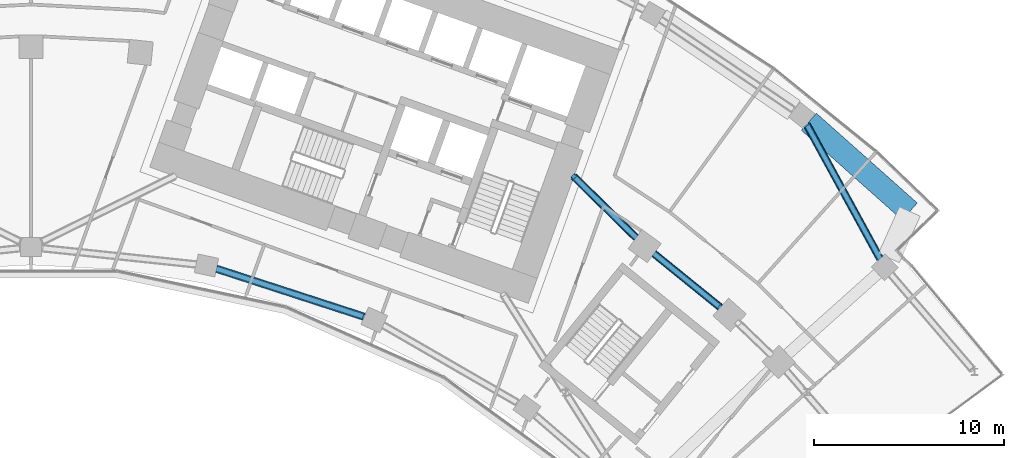
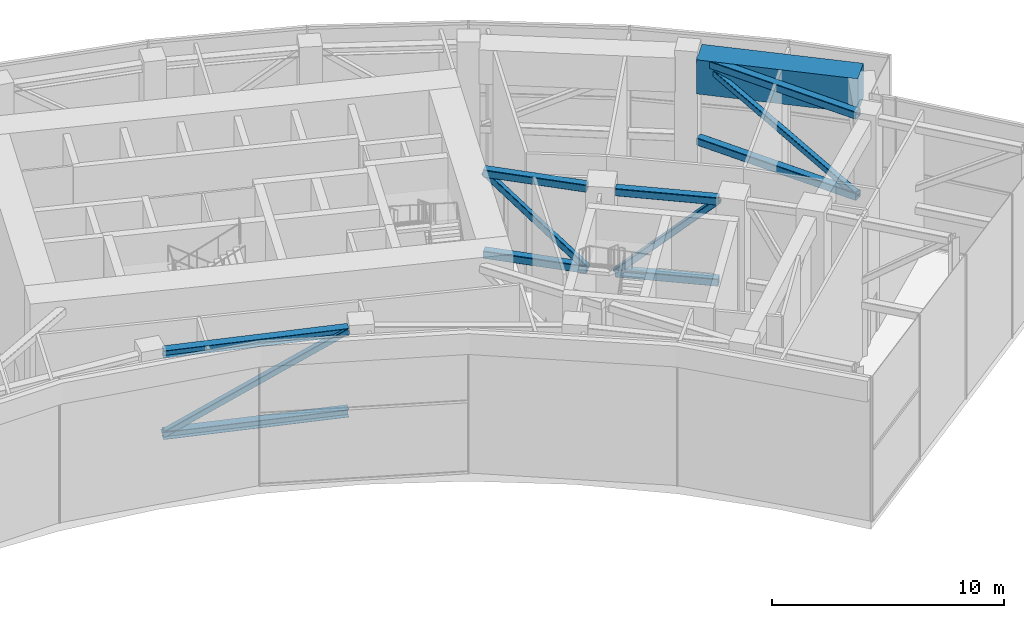
# One storey, part 11 of 32: 12 members, 1 beam.
"""IFC4 building model written with IfcOpenShell, lengths in metres."""

import ifcopenshell
import ifcopenshell.guid

model = None  # the IFC model being written
_history = None  # IfcOwnerHistory: only IFC2X3 demands one
_inside = {}  # id of a spatial element -> (the spatial element, [elements in it])
_under = {}  # id of a project, library or spatial element -> (it, [spatial elements below it])
_declared = {}  # id of a project -> (the project, [libraries it declares])
_typed = {}  # id of a type object -> (the type object, [elements of that type])
_made_of = {}  # id of a material, layer set ... -> (it, [elements and type objects made of it])


def new_model(schema):
    """Start an empty IFC model of exactly this schema.

    Asked for "IFC4X3", IfcOpenShell would pick the latest addendum, in which some entities
    have other attributes; the version numbers below select the first issue.
    IFC2X3 requires an IfcOwnerHistory on every rooted entity: one is made here for all.
    """
    global model, _history
    if schema == "IFC4X3":
        model = ifcopenshell.file(schema_version=(4, 3, 0, 0))
    else:
        model = ifcopenshell.file(schema=schema)
    _inside.clear()
    _under.clear()
    _declared.clear()
    _typed.clear()
    _made_of.clear()
    _history = None
    if model.schema == "IFC2X3":
        org = make("IfcOrganization", Name="unknown")
        user = make(
            "IfcPersonAndOrganization",
            ThePerson=make("IfcPerson", FamilyName="unknown"),
            TheOrganization=org,
        )
        app = make(
            "IfcApplication",
            ApplicationDeveloper=org,
            Version="unknown",
            ApplicationFullName="unknown",
            ApplicationIdentifier="unknown",
        )
        _history = make(
            "IfcOwnerHistory",
            OwningUser=user,
            OwningApplication=app,
            ChangeAction="ADDED",
            CreationDate=0,
        )
    return model


def make(cls, **values):
    """One entity of the class cls with the attributes given. An attribute that is None is left unset."""
    return model.create_entity(
        cls, **{name: value for name, value in values.items() if value is not None}
    )


def rooted(cls, **values):
    """An entity with a GlobalId (a new one), such as an element, a storey or a relation."""
    return make(cls, GlobalId=ifcopenshell.guid.new(), OwnerHistory=_history, **values)


def si_unit(unit_type, name, prefix=None):
    """IfcSIUnit, for example si_unit("LENGTHUNIT", "METRE", prefix="MILLI")."""
    return make("IfcSIUnit", UnitType=unit_type, Prefix=prefix, Name=name)


def assignment(units):
    """IfcUnitAssignment: the units of a project."""
    return None if units is None else make("IfcUnitAssignment", Units=units)


def point(xyz):
    """IfcCartesianPoint."""
    return None if xyz is None else make("IfcCartesianPoint", Coordinates=xyz)


def direction(xyz):
    """IfcDirection."""
    return None if xyz is None else make("IfcDirection", DirectionRatios=xyz)


def frame(location, z_axis=None, x_axis=None):
    """IfcAxis2Placement3D, a coordinate frame: its origin and axes. An axis left out is left unset."""
    return make(
        "IfcAxis2Placement3D",
        Location=point(location),
        Axis=direction(z_axis),
        RefDirection=direction(x_axis),
    )


def frame_2d(location, x_axis=None):
    """IfcAxis2Placement2D, a coordinate frame in the plane: its origin and x axis."""
    return make(
        "IfcAxis2Placement2D", Location=point(location), RefDirection=direction(x_axis)
    )


def origin():
    """The frame at (0, 0, 0) with its axes left unset."""
    return frame((0.0, 0.0, 0.0))


def origin_2d():
    """The frame at (0, 0) in the plane with its x axis left unset."""
    return frame_2d((0.0, 0.0))


def place(relative_to, where):
    """IfcLocalPlacement: puts the frame where relative to a parent placement (None: the world)."""
    return make(
        "IfcLocalPlacement", PlacementRelTo=relative_to, RelativePlacement=where
    )


def context(
    kind, dimensions, precision=None, world=None, true_north=None, identifier=None
):
    """IfcGeometricRepresentationContext, for example the 3D "Model" context."""
    return make(
        "IfcGeometricRepresentationContext",
        ContextIdentifier=identifier,
        ContextType=kind,
        CoordinateSpaceDimension=dimensions,
        Precision=precision,
        WorldCoordinateSystem=world,
        TrueNorth=true_north,
    )


def subcontext(parent, identifier, kind, view, scale=None):
    """IfcGeometricRepresentationSubContext, for example "Body" below "Model"."""
    return make(
        "IfcGeometricRepresentationSubContext",
        ContextIdentifier=identifier,
        ContextType=kind,
        ParentContext=parent,
        TargetScale=scale,
        TargetView=view,
    )


def project(units=None, contexts=None):
    """IfcProject with its units and contexts."""
    return rooted(
        "IfcProject",
        Name="project",
        RepresentationContexts=contexts,
        UnitsInContext=assignment(units),
    )


def spatial(cls, under=None, at=None, **own):
    """A site, building, storey or space (cls), placed at a placement, below another one or the project."""
    s = rooted(cls, ObjectPlacement=at, **own)
    if under is not None:
        _under.setdefault(under.id(), (under, []))[1].append(s)
    return s


def profile(cls, at=None, kind="AREA", **sizes):
    """A parametric profile (cls). Its sizes go by their IFC names, for example OverallWidth=200.0."""
    return make(cls, ProfileType=kind, Position=at, **sizes)


def rectangle(**sizes):
    """IfcRectangleProfileDef."""
    return profile("IfcRectangleProfileDef", **sizes)


def hollow_rectangle(**sizes):
    """IfcRectangleHollowProfileDef."""
    return profile("IfcRectangleHollowProfileDef", **sizes)


def i_section(**sizes):
    """IfcIShapeProfileDef."""
    return profile("IfcIShapeProfileDef", **sizes)


def extrude(swept, where, along, depth):
    """IfcExtrudedAreaSolid: the profile swept, set in the frame where, extruded along a direction by depth."""
    return make(
        "IfcExtrudedAreaSolid",
        SweptArea=swept,
        Position=where,
        ExtrudedDirection=direction(along),
        Depth=depth,
    )


def shape(context_of_items, identifier, shape_type, items):
    """IfcShapeRepresentation: the items that make up one representation, for example the "Body"."""
    return make(
        "IfcShapeRepresentation",
        ContextOfItems=context_of_items,
        RepresentationIdentifier=identifier,
        RepresentationType=shape_type,
        Items=items,
    )


def material(Name=None, Category=None):
    """IfcMaterial."""
    return make("IfcMaterial", Name=Name, Category=Category)


def material_profile(
    of_material, cross_section, Name=None, Category=None, Priority=None
):
    """IfcMaterialProfile: a cross section and its material."""
    return make(
        "IfcMaterialProfile",
        Name=Name,
        Material=of_material,
        Profile=cross_section,
        Priority=Priority,
        Category=Category,
    )


def profile_set(profiles, Name=None, composite=None):
    """IfcMaterialProfileSet."""
    return make(
        "IfcMaterialProfileSet",
        Name=Name,
        MaterialProfiles=profiles,
        CompositeProfile=composite,
    )


def made_of(thing, what):
    """Note that an element or type object is made of a material, layer set ...; save() writes the relation."""
    if what is not None:
        _made_of.setdefault(what.id(), (what, []))[1].append(thing)
    return thing


def type_object(cls, material=None, **own):
    """A type object (cls), such as IfcWallType, which elements share."""
    return made_of(rooted(cls, **own), material)


def element(
    cls,
    number,
    at=None,
    inside=None,
    cuts=None,
    type_object=None,
    material=None,
    context=None,
    identifier="Body",
    shape_type=None,
    held_by="IfcProductDefinitionShape",
    body=None,
    shapes=None,
    **own,
):
    """One element of the class cls, such as IfcWall. Its Tag is "e" and its number.

    at: its placement. inside: the storey or other place that contains it. cuts: it is an
    opening in that element (IfcRelVoidsElement). A single representation is given by context,
    identifier, shape_type and body (its items); several are given by shapes. held_by: the class
    of the entity that holds the representations. save() writes the other relations.
    """
    e = rooted(cls, Tag="e%d" % number, ObjectPlacement=at, **own)
    if body is not None:
        shapes = [shape(context, identifier, shape_type, body)]
    if shapes is not None:
        e.Representation = make(held_by, Representations=shapes)
    if inside is not None:
        _inside.setdefault(inside.id(), (inside, []))[1].append(e)
    if cuts is not None:
        rooted(
            "IfcRelVoidsElement", RelatingBuildingElement=cuts, RelatedOpeningElement=e
        )
    if type_object is not None:
        _typed.setdefault(type_object.id(), (type_object, []))[1].append(e)
    return made_of(e, material)


def aggregate(whole, parts):
    """IfcRelAggregates: a whole, such as a stair, and the parts it consists of."""
    return rooted("IfcRelAggregates", RelatingObject=whole, RelatedObjects=parts)


def save(model, path):
    """Write the relations noted so far, then the file.

    IfcRelAggregates (storeys below a building ...), IfcRelContainedInSpatialStructure (elements
    in a storey), IfcRelDefinesByType, IfcRelAssociatesMaterial and IfcRelDeclares: one each for
    every whole, place, type object, material and project.
    """
    for whole, parts in _under.values():
        aggregate(whole, parts)
    for where, things in _inside.values():
        rooted(
            "IfcRelContainedInSpatialStructure",
            RelatedElements=things,
            RelatingStructure=where,
        )
    for kind, things in _typed.values():
        rooted("IfcRelDefinesByType", RelatedObjects=things, RelatingType=kind)
    for what, things in _made_of.values():
        rooted("IfcRelAssociatesMaterial", RelatedObjects=things, RelatingMaterial=what)
    for by, libraries in _declared.values():
        rooted("IfcRelDeclares", RelatingContext=by, RelatedDefinitions=libraries)
    model.write(path)


model = new_model("IFC4")

# Units and contexts
model_context = context("Model", 3, precision=1e-05, world=origin(), true_north=direction((0.0, 1.0)))
body_context = subcontext(model_context, "Body", "Model", "MODEL_VIEW")
ifc_project = project(units=[si_unit("LENGTHUNIT", "METRE"), si_unit("AREAUNIT", "SQUARE_METRE"), si_unit("VOLUMEUNIT", "CUBIC_METRE"), si_unit("PLANEANGLEUNIT", "RADIAN"), si_unit("MASSUNIT", "GRAM", prefix="KILO")], contexts=[model_context])

# Site, building, storey
site_placement = place(None, origin())
site = spatial("IfcSite", under=ifc_project, at=site_placement, CompositionType="ELEMENT")
building_placement = place(site_placement, origin())
building = spatial("IfcBuilding", under=site, at=building_placement, Name="Stone Belt Terrace Tower", CompositionType="ELEMENT")
storey_placement = place(building_placement, frame((0.0, 0.0, 193.39990234375)))
storey = spatial("IfcBuildingStorey", under=building, at=storey_placement, Name="L47", CompositionType="ELEMENT", Elevation=193.39990234375)

# Members
ifc_material_1 = material(Name="Structural steel C345", Category="steel")
ifc_material_profile_1 = material_profile(ifc_material_1, i_section(OverallWidth=0.39794921875, OverallDepth=0.39404296875, WebThickness=0.010986328125, FlangeThickness=0.01806640625, at=origin_2d()), Name="I 40K1")
ifc_profile_set_1 = profile_set([ifc_material_profile_1], Name="Structural steel C345")
member_type_1 = type_object("IfcMemberType", Name="Belt chord I 40K1", PredefinedType="CHORD", material=ifc_profile_set_1)
for number, where, z_axis, x_axis, name in (
    (1, (9.7666015625, 43.302978515625, 7.0830078125), (0.951054012412, -0.30902470043, 0.0), (0.30902470043, 0.951054012412, 0.0), "Belt truss T3 ring P top chord 6"),
    (2, (9.7666015625, 43.302978515625, 2.797119140625), (0.951054012412, -0.30902470043, 0.0), (0.30902470043, 0.951054012412, 0.0), "Belt truss T3 ring P bot chord 6"),
):
    element("IfcMember", number, at=place(storey_placement, frame(where, z_axis=z_axis, x_axis=x_axis)), inside=storey, type_object=member_type_1, Name=name, PredefinedType="CHORD", context=body_context, shape_type="SweptSolid", body=[
        extrude(i_section(OverallWidth=0.39794921875, OverallDepth=0.39404296875, WebThickness=0.010986328125, FlangeThickness=0.01806640625, at=origin_2d()), origin(), (0.0, 0.0, 1.0), 8.185546875),
    ])
ifc_material_profile_2 = material_profile(ifc_material_1, hollow_rectangle(XDim=0.300048828125, YDim=0.300048828125, WallThickness=0.011962890625, InnerFilletRadius=0.02392578125, OuterFilletRadius=0.035888671875, at=origin_2d()), Name="SHS 300x300x12")
ifc_profile_set_2 = profile_set([ifc_material_profile_2], Name="Structural steel C345")
member_type_2 = type_object("IfcMemberType", Name="Belt diagonal SHS 300x300x12", PredefinedType="BRACE", material=ifc_profile_set_2)
member_1_placement = place(storey_placement, frame((9.7666015625, 43.302978515625, 2.797119140625), z_axis=(0.842549225888, -0.273768386158, 0.463855228164), x_axis=(0.30902470043, 0.951054012412, 0.0)))
element("IfcMember", 3, at=member_1_placement, inside=storey, type_object=member_type_2, Name="Belt truss T3 ring P diagonal 6", PredefinedType="BRACE", context=body_context, shape_type="SweptSolid", body=[
    extrude(hollow_rectangle(XDim=0.300048828125, YDim=0.300048828125, WallThickness=0.011962890625, InnerFilletRadius=0.02392578125, OuterFilletRadius=0.035888671875, at=origin_2d()), origin(), (0.0, 0.0, 1.0), 9.23974609375),
])
ifc_material_profile_3 = material_profile(ifc_material_1, hollow_rectangle(XDim=0.39990234375, YDim=0.39990234375, WallThickness=0.01611328125, InnerFilletRadius=0.031982421875, OuterFilletRadius=0.048095703125, at=origin_2d()), Name="SHS 400x400x16")
ifc_profile_set_3 = profile_set([ifc_material_profile_3], Name="Structural steel C345")
member_type_3 = type_object("IfcMemberType", Name="Outrigger chord SHS 400x400x16", PredefinedType="CHORD", material=ifc_profile_set_3)
for number, where, z_axis, x_axis, name in (
    (4, (36.31591796875, 41.266845703125, 7.080078125), (-0.777148951547, 0.629316698578, 0.0), (-0.629316698578, -0.777148951547, 0.0), "Outrigger T3 Qe top chord 3"),
    (5, (36.31591796875, 41.266845703125, 2.800048828125), (-0.777148951547, 0.629316698578, 0.0), (-0.629316698578, -0.777148951547, 0.0), "Outrigger T3 Qe bot chord 3"),
):
    element("IfcMember", number, at=place(storey_placement, frame(where, z_axis=z_axis, x_axis=x_axis)), inside=storey, type_object=member_type_3, Name=name, PredefinedType="CHORD", context=body_context, shape_type="SweptSolid", body=[
        extrude(hollow_rectangle(XDim=0.39990234375, YDim=0.39990234375, WallThickness=0.01611328125, InnerFilletRadius=0.031982421875, OuterFilletRadius=0.048095703125, at=origin_2d()), origin(), (0.0, 0.0, 1.0), 4.505126953125),
    ])
for number, where, z_axis, x_axis, name in (
    (6, (31.87744140625, 44.93896484375, 7.080078125), (-0.713266102076, 0.700893335415, 0.0), (-0.700893335415, -0.713266102076, 0.0), "Outrigger T3 Qe top chord 4"),
    (7, (31.87744140625, 44.93896484375, 2.800048828125), (-0.713266102076, 0.700893335415, 0.0), (-0.700893335415, -0.713266102076, 0.0), "Outrigger T3 Qe bot chord 4"),
):
    element("IfcMember", number, at=place(storey_placement, frame(where, z_axis=z_axis, x_axis=x_axis)), inside=storey, type_object=member_type_3, Name=name, PredefinedType="CHORD", context=body_context, shape_type="SweptSolid", body=[
        extrude(hollow_rectangle(XDim=0.39990234375, YDim=0.39990234375, WallThickness=0.01611328125, InnerFilletRadius=0.031982421875, OuterFilletRadius=0.048095703125, at=origin_2d()), origin(), (0.0, 0.0, 1.0), 4.59765625),
    ])
for number, where, z_axis, x_axis, name in (
    (8, (44.728515625, 43.8359375, 7.080078125), (-0.479531587798, 0.877524618631, 0.0), (-0.877524618631, -0.479531587798, 0.0), "Outrigger T3 Re top chord 2"),
    (9, (44.728515625, 43.8359375, 2.800048828125), (-0.479531587798, 0.877524618631, 0.0), (-0.877524618631, -0.479531587798, 0.0), "Outrigger T3 Re bot chord 2"),
):
    element("IfcMember", number, at=place(storey_placement, frame(where, z_axis=z_axis, x_axis=x_axis)), inside=storey, type_object=member_type_3, Name=name, PredefinedType="CHORD", context=body_context, shape_type="SweptSolid", body=[
        extrude(hollow_rectangle(XDim=0.39990234375, YDim=0.39990234375, WallThickness=0.01611328125, InnerFilletRadius=0.031982421875, OuterFilletRadius=0.048095703125, at=origin_2d()), origin(), (0.0, 0.0, 1.0), 8.054443359375),
    ])
ifc_material_profile_4 = material_profile(ifc_material_1, hollow_rectangle(XDim=0.300048828125, YDim=0.300048828125, WallThickness=0.01611328125, InnerFilletRadius=0.031982421875, OuterFilletRadius=0.048095703125, at=origin_2d()), Name="SHS 300x300x16")
ifc_profile_set_4 = profile_set([ifc_material_profile_4], Name="Structural steel C345")
member_type_4 = type_object("IfcMemberType", Name="Outrigger diagonal SHS 300x300x16", PredefinedType="BRACE", material=ifc_profile_set_4)
member_2_placement = place(storey_placement, frame((36.31591796875, 41.266845703125, 7.080078125), z_axis=(-0.563427679081, 0.456250305918, -0.68875605899), x_axis=(-0.629316698578, -0.777148951547, 0.0)))
element("IfcMember", 10, at=member_2_placement, inside=storey, type_object=member_type_4, Name="Outrigger T3 Qe diagonal 3", PredefinedType="BRACE", context=body_context, shape_type="SweptSolid", body=[
    extrude(hollow_rectangle(XDim=0.300048828125, YDim=0.300048828125, WallThickness=0.01611328125, InnerFilletRadius=0.031982421875, OuterFilletRadius=0.048095703125, at=origin_2d()), origin(), (0.0, 0.0, 1.0), 6.214111328125),
])
member_3_placement = place(storey_placement, frame((31.87744140625, 44.93896484375, 2.800048828125), z_axis=(-0.522062049748, 0.513006029975, 0.681378037085), x_axis=(-0.700893335415, -0.713266102076, 0.0)))
element("IfcMember", 11, at=member_3_placement, inside=storey, type_object=member_type_4, Name="Outrigger T3 Qe diagonal 4", PredefinedType="BRACE", context=body_context, shape_type="SweptSolid", body=[
    extrude(hollow_rectangle(XDim=0.300048828125, YDim=0.300048828125, WallThickness=0.01611328125, InnerFilletRadius=0.031982421875, OuterFilletRadius=0.048095703125, at=origin_2d()), origin(), (0.0, 0.0, 1.0), 6.281494140625),
])
member_4_placement = place(storey_placement, frame((44.728515625, 43.8359375, 2.800048828125), z_axis=(-0.423456447851, 0.774909239273, 0.469255056086), x_axis=(-0.877524618631, -0.479531587798, 0.0)))
element("IfcMember", 12, at=member_4_placement, inside=storey, type_object=member_type_4, Name="Outrigger T3 Re diagonal 2", PredefinedType="BRACE", context=body_context, shape_type="SweptSolid", body=[
    extrude(hollow_rectangle(XDim=0.300048828125, YDim=0.300048828125, WallThickness=0.01611328125, InnerFilletRadius=0.031982421875, OuterFilletRadius=0.048095703125, at=origin_2d()), origin(), (0.0, 0.0, 1.0), 9.120849609375),
])

# Beam
ifc_material_2 = material(Name="Concrete B80", Category="concrete")
ifc_material_profile_5 = material_profile(ifc_material_2, rectangle(XDim=1.199951171875, YDim=1.800048828125, at=origin_2d()), Name="RC 1200x1800")
ifc_profile_set_5 = profile_set([ifc_material_profile_5], Name="Concrete B80")
beam_type = type_object("IfcBeamType", Name="Transfer girder RC 1200x1800 B80", PredefinedType="BEAM", material=ifc_profile_set_5)
beam_placement = place(storey_placement, frame((40.97998046875, 51.047607421875, 6.380126953125), z_axis=(0.747178318203, -0.66462362342, 0.0), x_axis=(0.66462362342, 0.747178318203, 0.0)))
element("IfcBeam", 13, at=beam_placement, inside=storey, type_object=beam_type, Name="Transfer beam L47 RRNB-RNB", PredefinedType="BEAM", context=body_context, shape_type="SweptSolid", body=[
    extrude(rectangle(XDim=1.199951171875, YDim=1.800048828125, at=origin_2d()), origin(), (0.0, 0.0, 1.0), 7.115234375),
])

save(model, "model.ifc")
